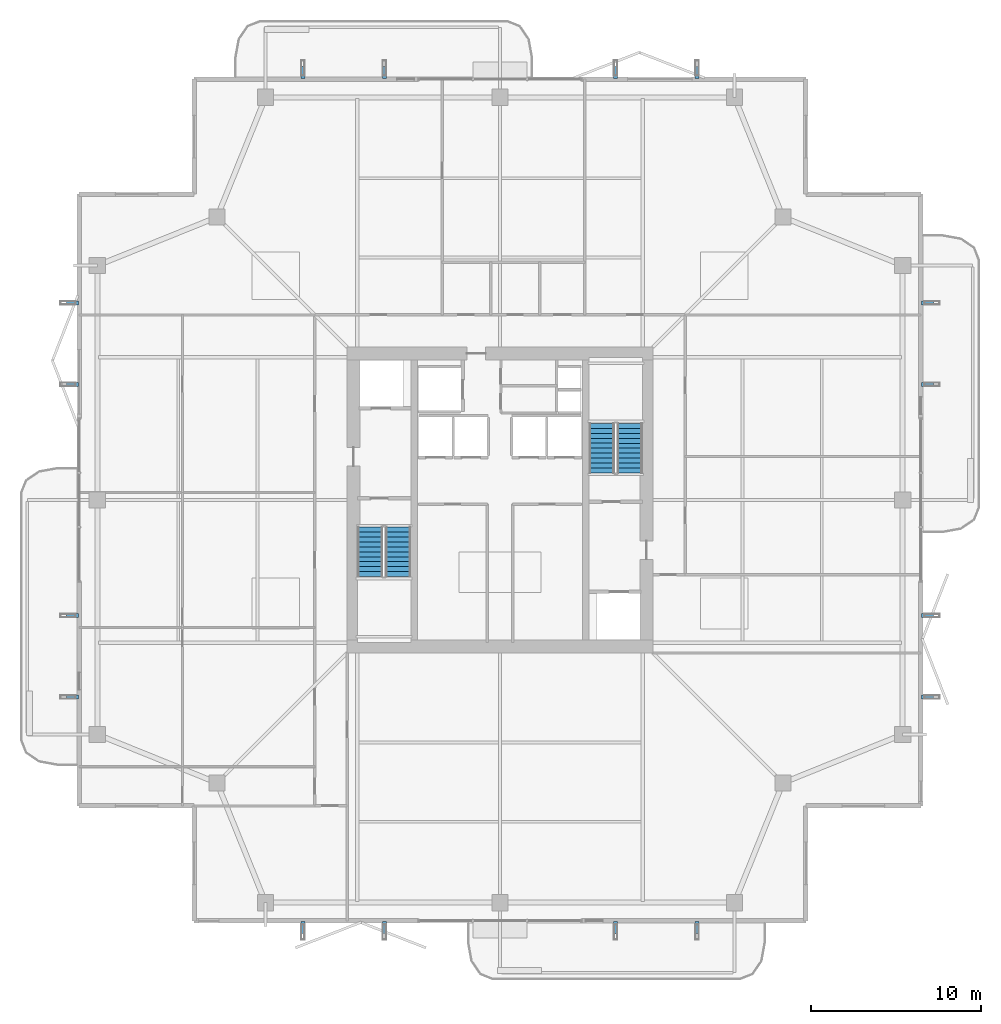
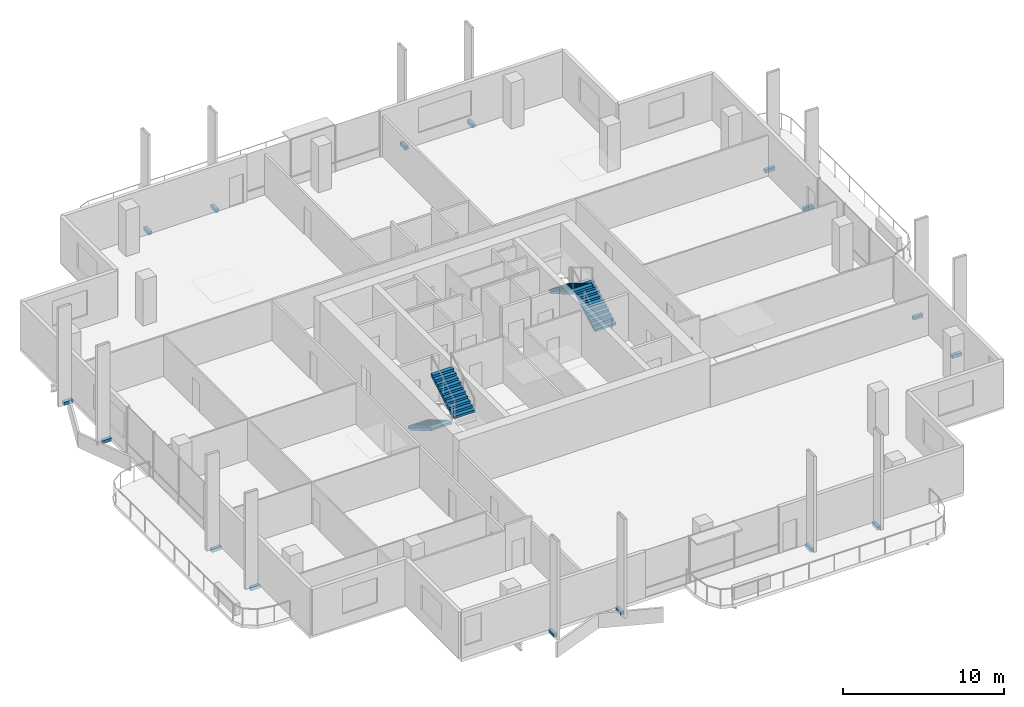
# One storey, part 21 of 25: 16 discrete accessories, 4 stair flights, 2 elements without a shape of their own.
"""IFC4 building model written with IfcOpenShell, lengths in metres."""

from ifc_helpers import new_model, si_unit, direction, frame, origin, origin_2d, place, context, subcontext, project, spatial, polyline, rectangle, outline, extrude, material, layer, layer_set, type_object, element, aggregate, save


model = new_model("IFC4")

# Units and contexts
model_context = context("Model", 3, precision=1e-05, world=origin(), true_north=direction((0.0, 1.0)))
body_context = subcontext(model_context, "Body", "Model", "MODEL_VIEW")
ifc_project = project(units=[si_unit("LENGTHUNIT", "METRE"), si_unit("AREAUNIT", "SQUARE_METRE"), si_unit("VOLUMEUNIT", "CUBIC_METRE"), si_unit("PLANEANGLEUNIT", "RADIAN"), si_unit("MASSUNIT", "GRAM", prefix="KILO")], contexts=[model_context])

# Site, building, storey
site_placement = place(None, origin())
site = spatial("IfcSite", under=ifc_project, at=site_placement, CompositionType="ELEMENT")
building_placement = place(site_placement, origin())
building = spatial("IfcBuilding", under=site, at=building_placement, Name="Belovzor Exchange Tower", CompositionType="ELEMENT")
storey_placement = place(building_placement, frame((0.0, 0.0, 257.85009765625)))
storey = spatial("IfcBuildingStorey", under=building, at=storey_placement, Name="L64", CompositionType="ELEMENT", Elevation=257.85009765625)

# Stair, stair flights
ifc_material_1 = material(Name="Concrete C40/50", Category="concrete")
stair_type = type_object("IfcStairType", Name="Reinforced Concrete Dogleg Escape Stair 1350", PredefinedType="HALF_TURN_STAIR", material=ifc_material_1)
stair_1_placement = place(storey_placement, origin())
stair_1 = element("IfcStair", 1, at=stair_1_placement, inside=storey, type_object=stair_type, Name="L64 ST-1", PredefinedType="HALF_TURN_STAIR")
ifc_material_2 = material(Name="Concrete C40/50", Category="concrete")
stair_flight_type = type_object("IfcStairFlightType", Name="Reinforced Concrete Stair Flight 1350", PredefinedType="STRAIGHT", material=ifc_material_2)
stair_flight_1_placement = place(storey_placement, frame((21.14990234375, 27.199951171875, 0.0), z_axis=(0.0, 0.0, 1.0), x_axis=(0.0, -1.0, 0.0)))
stair_flight_1 = element("IfcStairFlight", 2, at=stair_flight_1_placement, type_object=stair_flight_type, Name="ST-1 flight 1", NumberOfRisers=11, NumberOfTreads=10, PredefinedType="STRAIGHT", RiserHeight=0.170454545, TreadLength=0.29, context=body_context, shape_type="SweptSolid", body=[
    extrude(outline(polyline([(0.0, 0.0), (0.0, 0.17041015625), (0.2900390625, 0.17041015625), (0.2900390625, 0.3408203125), (0.580078125, 0.3408203125), (0.580078125, 0.511474609375), (0.8701171875, 0.511474609375), (0.8701171875, 0.681884765625), (1.159912109375, 0.681884765625), (1.159912109375, 0.852294921875), (1.449951171875, 0.852294921875), (1.449951171875, 1.022705078125), (1.739990234375, 1.022705078125), (1.739990234375, 1.193115234375), (2.030029296875, 1.193115234375), (2.030029296875, 1.363525390625), (2.320068359375, 1.363525390625), (2.320068359375, 1.5341796875), (2.610107421875, 1.5341796875), (2.610107421875, 1.70458984375), (2.89990234375, 1.70458984375), (2.89990234375, 1.875), (2.89990234375, 1.53076171875), (0.2958984375, 0.0), (0.0, 0.0)])), frame((0.0, 0.75, 0.0), z_axis=(0.0, -1.0, 0.0), x_axis=(1.0, 0.0, 0.0)), (0.0, 0.0, 1.0), 1.5),
])
stair_flight_2_placement = place(storey_placement, frame((22.800048828125, 24.300048828125, 1.875), z_axis=(0.0, 0.0, 1.0), x_axis=(0.0, 1.0, 0.0)))
stair_flight_2 = element("IfcStairFlight", 3, at=stair_flight_2_placement, type_object=stair_flight_type, Name="ST-1 flight 2", NumberOfRisers=11, NumberOfTreads=10, PredefinedType="STRAIGHT", RiserHeight=0.170454545, TreadLength=0.29, context=body_context, shape_type="SweptSolid", body=[
    extrude(outline(polyline([(0.0, 0.0), (0.0, 0.17041015625), (0.2900390625, 0.17041015625), (0.2900390625, 0.3408203125), (0.580078125, 0.3408203125), (0.580078125, 0.511474609375), (0.8701171875, 0.511474609375), (0.8701171875, 0.681884765625), (1.159912109375, 0.681884765625), (1.159912109375, 0.852294921875), (1.449951171875, 0.852294921875), (1.449951171875, 1.022705078125), (1.739990234375, 1.022705078125), (1.739990234375, 1.193115234375), (2.030029296875, 1.193115234375), (2.030029296875, 1.363525390625), (2.320068359375, 1.363525390625), (2.320068359375, 1.5341796875), (2.610107421875, 1.5341796875), (2.610107421875, 1.70458984375), (2.89990234375, 1.70458984375), (2.89990234375, 1.875), (2.89990234375, 1.53076171875), (0.2958984375, 0.0), (0.0, 0.0)])), frame((0.0, 0.75, 0.0), z_axis=(0.0, -1.0, 0.0), x_axis=(1.0, 0.0, 0.0)), (0.0, 0.0, 1.0), 1.5),
])
aggregate(stair_1, [stair_flight_1, stair_flight_2])

stair_2_placement = place(storey_placement, origin())
stair_2 = element("IfcStair", 4, at=stair_2_placement, inside=storey, type_object=stair_type, Name="L64 ST-2", PredefinedType="HALF_TURN_STAIR")
stair_flight_3_placement = place(storey_placement, frame((36.449951171875, 30.39990234375, 0.0), z_axis=(0.0, 0.0, 1.0), x_axis=(0.0, 1.0, 0.0)))
stair_flight_3 = element("IfcStairFlight", 5, at=stair_flight_3_placement, type_object=stair_flight_type, Name="ST-2 flight 1", NumberOfRisers=11, NumberOfTreads=10, PredefinedType="STRAIGHT", RiserHeight=0.170454545, TreadLength=0.29, context=body_context, shape_type="SweptSolid", body=[
    extrude(outline(polyline([(0.0, 0.0), (0.0, 0.17041015625), (0.2900390625, 0.17041015625), (0.2900390625, 0.3408203125), (0.580078125, 0.3408203125), (0.580078125, 0.511474609375), (0.8701171875, 0.511474609375), (0.8701171875, 0.681884765625), (1.159912109375, 0.681884765625), (1.159912109375, 0.852294921875), (1.449951171875, 0.852294921875), (1.449951171875, 1.022705078125), (1.739990234375, 1.022705078125), (1.739990234375, 1.193115234375), (2.030029296875, 1.193115234375), (2.030029296875, 1.363525390625), (2.320068359375, 1.363525390625), (2.320068359375, 1.5341796875), (2.610107421875, 1.5341796875), (2.610107421875, 1.70458984375), (2.89990234375, 1.70458984375), (2.89990234375, 1.875), (2.89990234375, 1.53076171875), (0.2958984375, 0.0), (0.0, 0.0)])), frame((0.0, 0.75, 0.0), z_axis=(0.0, -1.0, 0.0), x_axis=(1.0, 0.0, 0.0)), (0.0, 0.0, 1.0), 1.5),
])
stair_flight_4_placement = place(storey_placement, frame((34.800048828125, 33.300048828125, 1.875), z_axis=(0.0, 0.0, 1.0), x_axis=(0.0, -1.0, 0.0)))
stair_flight_4 = element("IfcStairFlight", 6, at=stair_flight_4_placement, type_object=stair_flight_type, Name="ST-2 flight 2", NumberOfRisers=11, NumberOfTreads=10, PredefinedType="STRAIGHT", RiserHeight=0.170454545, TreadLength=0.29, context=body_context, shape_type="SweptSolid", body=[
    extrude(outline(polyline([(0.0, 0.0), (0.0, 0.17041015625), (0.2900390625, 0.17041015625), (0.2900390625, 0.3408203125), (0.580078125, 0.3408203125), (0.580078125, 0.511474609375), (0.8701171875, 0.511474609375), (0.8701171875, 0.681884765625), (1.159912109375, 0.681884765625), (1.159912109375, 0.852294921875), (1.449951171875, 0.852294921875), (1.449951171875, 1.022705078125), (1.739990234375, 1.022705078125), (1.739990234375, 1.193115234375), (2.030029296875, 1.193115234375), (2.030029296875, 1.363525390625), (2.320068359375, 1.363525390625), (2.320068359375, 1.5341796875), (2.610107421875, 1.5341796875), (2.610107421875, 1.70458984375), (2.89990234375, 1.70458984375), (2.89990234375, 1.875), (2.89990234375, 1.53076171875), (0.2958984375, 0.0), (0.0, 0.0)])), frame((0.0, 0.75, 0.0), z_axis=(0.0, -1.0, 0.0), x_axis=(1.0, 0.0, 0.0)), (0.0, 0.0, 1.0), 1.5),
])
aggregate(stair_2, [stair_flight_3, stair_flight_4])

# Discrete accessories
ifc_material_3 = material(Name="Stainless Steel Grade 316", Category="steel")
ifc_layer = layer(ifc_material_3, 0.179931640625)
ifc_layer_set = layer_set([ifc_layer], Name="Stainless Steel Grade 316")
discrete_accessory_type = type_object("IfcDiscreteAccessoryType", Name="Stainless Steel Facade Outrigger Fixing Bracket", PredefinedType="BRACKET", material=ifc_layer_set)
for number, where, z_axis, x_axis, name in (
    (7, (17.199951171875, 3.637939453125, -0.2451171875), (0.0, 0.0, 1.0), (0.0, 1.0, 0.0), "BRK-FIN1 Sweeping Fin Outrigger Bracket L64 S1"),
    (8, (17.199951171875, 53.9619140625, -0.2451171875), (0.0, 0.0, 1.0), (0.0, 1.0, 0.0), "BRK-FIN1 Sweeping Fin Outrigger Bracket L64 N1"),
    (9, (3.637939453125, 17.199951171875, -0.2451171875), (0.0, 0.0, 1.0), (1.0, 0.0, 0.0), "BRK-FIN1 Sweeping Fin Outrigger Bracket L64 W1"),
    (10, (53.9619140625, 17.199951171875, -0.2451171875), (0.0, 0.0, 1.0), (1.0, 0.0, 0.0), "BRK-FIN1 Sweeping Fin Outrigger Bracket L64 E1"),
    (11, (22.0, 3.637939453125, -0.2451171875), (0.0, 0.0, 1.0), (0.0, 1.0, 0.0), "BRK-FIN1 Sweeping Fin Outrigger Bracket L64 S2"),
    (12, (22.0, 53.9619140625, -0.2451171875), (0.0, 0.0, 1.0), (0.0, 1.0, 0.0), "BRK-FIN1 Sweeping Fin Outrigger Bracket L64 N2"),
    (13, (3.637939453125, 22.0, -0.2451171875), (0.0, 0.0, 1.0), (1.0, 0.0, 0.0), "BRK-FIN1 Sweeping Fin Outrigger Bracket L64 W2"),
    (14, (53.9619140625, 22.0, -0.2451171875), (0.0, 0.0, 1.0), (1.0, 0.0, 0.0), "BRK-FIN1 Sweeping Fin Outrigger Bracket L64 E2"),
    (15, (35.60009765625, 3.637939453125, -0.2451171875), (0.0, 0.0, 1.0), (0.0, 1.0, 0.0), "BRK-FIN1 Sweeping Fin Outrigger Bracket L64 S3"),
    (16, (35.60009765625, 53.9619140625, -0.2451171875), (0.0, 0.0, 1.0), (0.0, 1.0, 0.0), "BRK-FIN1 Sweeping Fin Outrigger Bracket L64 N3"),
    (17, (3.637939453125, 35.60009765625, -0.2451171875), (0.0, 0.0, 1.0), (1.0, 0.0, 0.0), "BRK-FIN1 Sweeping Fin Outrigger Bracket L64 W3"),
    (18, (53.9619140625, 35.60009765625, -0.2451171875), (0.0, 0.0, 1.0), (1.0, 0.0, 0.0), "BRK-FIN1 Sweeping Fin Outrigger Bracket L64 E3"),
    (19, (40.39990234375, 3.637939453125, -0.2451171875), (0.0, 0.0, 1.0), (0.0, 1.0, 0.0), "BRK-FIN1 Sweeping Fin Outrigger Bracket L64 S4"),
    (20, (40.39990234375, 53.9619140625, -0.2451171875), (0.0, 0.0, 1.0), (0.0, 1.0, 0.0), "BRK-FIN1 Sweeping Fin Outrigger Bracket L64 N4"),
    (21, (3.637939453125, 40.39990234375, -0.2451171875), (0.0, 0.0, 1.0), (1.0, 0.0, 0.0), "BRK-FIN1 Sweeping Fin Outrigger Bracket L64 W4"),
    (22, (53.9619140625, 40.39990234375, -0.2451171875), (0.0, 0.0, 1.0), (1.0, 0.0, 0.0), "BRK-FIN1 Sweeping Fin Outrigger Bracket L64 E4"),
):
    element("IfcDiscreteAccessory", number, at=place(storey_placement, frame(where, z_axis=z_axis, x_axis=x_axis)), inside=storey, type_object=discrete_accessory_type, Name=name, PredefinedType="BRACKET", context=body_context, shape_type="SweptSolid", body=[
        extrude(rectangle(XDim=0.68505859375, YDim=0.239990234375, at=origin_2d()), origin(), (0.0, 0.0, 1.0), 0.239990234375),
    ])

save(model, "model.ifc")
